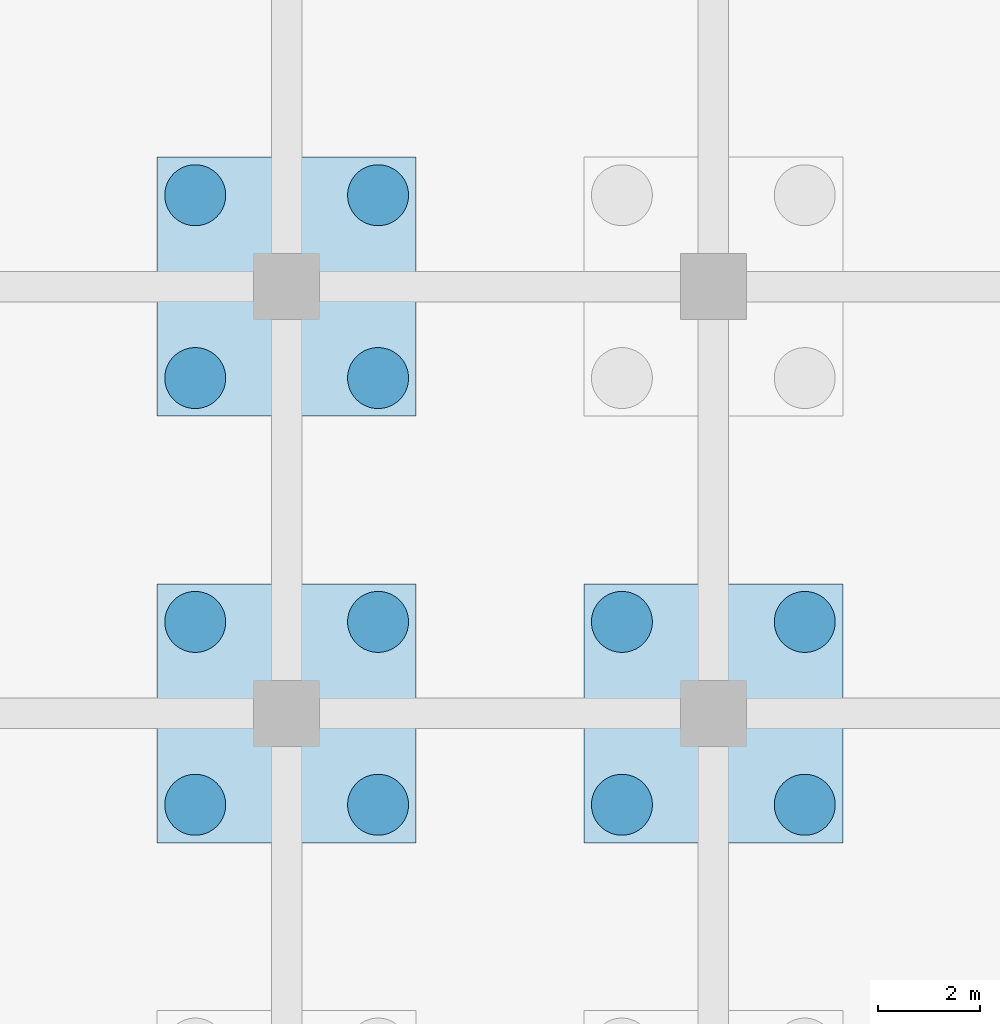
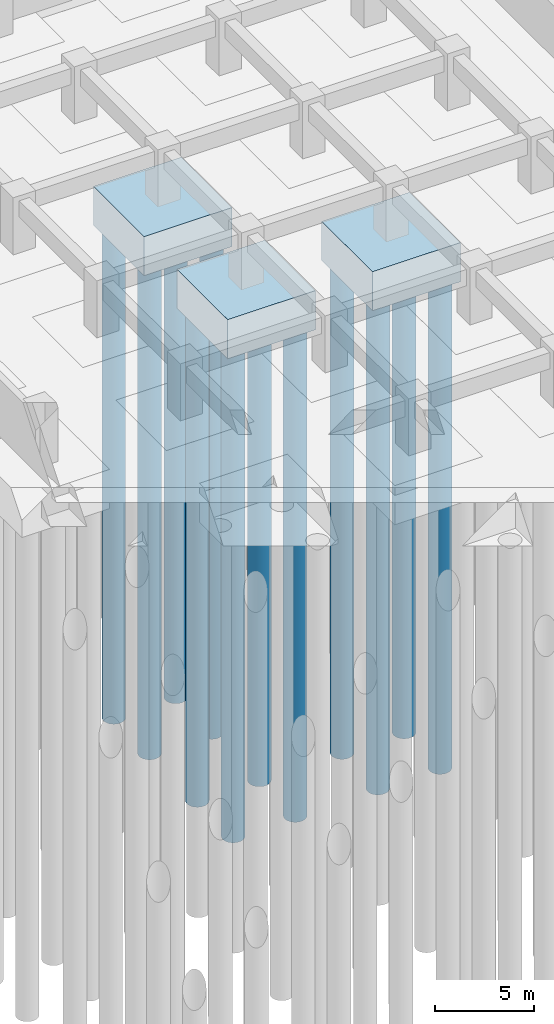
# One storey, part 33 of 73: 12 piles, 3 footings.
"""IFC4 building model written with IfcOpenShell, lengths in metres."""

import ifcopenshell
import ifcopenshell.guid

model = None  # the IFC model being written
_history = None  # IfcOwnerHistory: only IFC2X3 demands one
_inside = {}  # id of a spatial element -> (the spatial element, [elements in it])
_under = {}  # id of a project, library or spatial element -> (it, [spatial elements below it])
_declared = {}  # id of a project -> (the project, [libraries it declares])
_typed = {}  # id of a type object -> (the type object, [elements of that type])
_made_of = {}  # id of a material, layer set ... -> (it, [elements and type objects made of it])


def new_model(schema):
    """Start an empty IFC model of exactly this schema.

    Asked for "IFC4X3", IfcOpenShell would pick the latest addendum, in which some entities
    have other attributes; the version numbers below select the first issue.
    IFC2X3 requires an IfcOwnerHistory on every rooted entity: one is made here for all.
    """
    global model, _history
    if schema == "IFC4X3":
        model = ifcopenshell.file(schema_version=(4, 3, 0, 0))
    else:
        model = ifcopenshell.file(schema=schema)
    _inside.clear()
    _under.clear()
    _declared.clear()
    _typed.clear()
    _made_of.clear()
    _history = None
    if model.schema == "IFC2X3":
        org = make("IfcOrganization", Name="unknown")
        user = make(
            "IfcPersonAndOrganization",
            ThePerson=make("IfcPerson", FamilyName="unknown"),
            TheOrganization=org,
        )
        app = make(
            "IfcApplication",
            ApplicationDeveloper=org,
            Version="unknown",
            ApplicationFullName="unknown",
            ApplicationIdentifier="unknown",
        )
        _history = make(
            "IfcOwnerHistory",
            OwningUser=user,
            OwningApplication=app,
            ChangeAction="ADDED",
            CreationDate=0,
        )
    return model


def make(cls, **values):
    """One entity of the class cls with the attributes given. An attribute that is None is left unset."""
    return model.create_entity(
        cls, **{name: value for name, value in values.items() if value is not None}
    )


def rooted(cls, **values):
    """An entity with a GlobalId (a new one), such as an element, a storey or a relation."""
    return make(cls, GlobalId=ifcopenshell.guid.new(), OwnerHistory=_history, **values)


def si_unit(unit_type, name, prefix=None):
    """IfcSIUnit, for example si_unit("LENGTHUNIT", "METRE", prefix="MILLI")."""
    return make("IfcSIUnit", UnitType=unit_type, Prefix=prefix, Name=name)


def assignment(units):
    """IfcUnitAssignment: the units of a project."""
    return None if units is None else make("IfcUnitAssignment", Units=units)


def point(xyz):
    """IfcCartesianPoint."""
    return None if xyz is None else make("IfcCartesianPoint", Coordinates=xyz)


def direction(xyz):
    """IfcDirection."""
    return None if xyz is None else make("IfcDirection", DirectionRatios=xyz)


def frame(location, z_axis=None, x_axis=None):
    """IfcAxis2Placement3D, a coordinate frame: its origin and axes. An axis left out is left unset."""
    return make(
        "IfcAxis2Placement3D",
        Location=point(location),
        Axis=direction(z_axis),
        RefDirection=direction(x_axis),
    )


def frame_2d(location, x_axis=None):
    """IfcAxis2Placement2D, a coordinate frame in the plane: its origin and x axis."""
    return make(
        "IfcAxis2Placement2D", Location=point(location), RefDirection=direction(x_axis)
    )


def origin():
    """The frame at (0, 0, 0) with its axes left unset."""
    return frame((0.0, 0.0, 0.0))


def origin_2d():
    """The frame at (0, 0) in the plane with its x axis left unset."""
    return frame_2d((0.0, 0.0))


def place(relative_to, where):
    """IfcLocalPlacement: puts the frame where relative to a parent placement (None: the world)."""
    return make(
        "IfcLocalPlacement", PlacementRelTo=relative_to, RelativePlacement=where
    )


def context(
    kind, dimensions, precision=None, world=None, true_north=None, identifier=None
):
    """IfcGeometricRepresentationContext, for example the 3D "Model" context."""
    return make(
        "IfcGeometricRepresentationContext",
        ContextIdentifier=identifier,
        ContextType=kind,
        CoordinateSpaceDimension=dimensions,
        Precision=precision,
        WorldCoordinateSystem=world,
        TrueNorth=true_north,
    )


def subcontext(parent, identifier, kind, view, scale=None):
    """IfcGeometricRepresentationSubContext, for example "Body" below "Model"."""
    return make(
        "IfcGeometricRepresentationSubContext",
        ContextIdentifier=identifier,
        ContextType=kind,
        ParentContext=parent,
        TargetScale=scale,
        TargetView=view,
    )


def project(units=None, contexts=None):
    """IfcProject with its units and contexts."""
    return rooted(
        "IfcProject",
        Name="project",
        RepresentationContexts=contexts,
        UnitsInContext=assignment(units),
    )


def spatial(cls, under=None, at=None, **own):
    """A site, building, storey or space (cls), placed at a placement, below another one or the project."""
    s = rooted(cls, ObjectPlacement=at, **own)
    if under is not None:
        _under.setdefault(under.id(), (under, []))[1].append(s)
    return s


def polyline(points):
    """IfcPolyline through the points."""
    return make("IfcPolyline", Points=[point(p) for p in points])


def profile(cls, at=None, kind="AREA", **sizes):
    """A parametric profile (cls). Its sizes go by their IFC names, for example OverallWidth=200.0."""
    return make(cls, ProfileType=kind, Position=at, **sizes)


def circle(**sizes):
    """IfcCircleProfileDef."""
    return profile("IfcCircleProfileDef", **sizes)


def outline(outer, holes=None, kind="AREA"):
    """IfcArbitraryClosedProfileDef: a profile drawn as a closed curve; with holes, ...WithVoids."""
    if holes is None:
        return make("IfcArbitraryClosedProfileDef", ProfileType=kind, OuterCurve=outer)
    return make(
        "IfcArbitraryProfileDefWithVoids",
        ProfileType=kind,
        OuterCurve=outer,
        InnerCurves=holes,
    )


def extrude(swept, where, along, depth):
    """IfcExtrudedAreaSolid: the profile swept, set in the frame where, extruded along a direction by depth."""
    return make(
        "IfcExtrudedAreaSolid",
        SweptArea=swept,
        Position=where,
        ExtrudedDirection=direction(along),
        Depth=depth,
    )


def shape(context_of_items, identifier, shape_type, items):
    """IfcShapeRepresentation: the items that make up one representation, for example the "Body"."""
    return make(
        "IfcShapeRepresentation",
        ContextOfItems=context_of_items,
        RepresentationIdentifier=identifier,
        RepresentationType=shape_type,
        Items=items,
    )


def material(Name=None, Category=None):
    """IfcMaterial."""
    return make("IfcMaterial", Name=Name, Category=Category)


def material_profile(
    of_material, cross_section, Name=None, Category=None, Priority=None
):
    """IfcMaterialProfile: a cross section and its material."""
    return make(
        "IfcMaterialProfile",
        Name=Name,
        Material=of_material,
        Profile=cross_section,
        Priority=Priority,
        Category=Category,
    )


def profile_set(profiles, Name=None, composite=None):
    """IfcMaterialProfileSet."""
    return make(
        "IfcMaterialProfileSet",
        Name=Name,
        MaterialProfiles=profiles,
        CompositeProfile=composite,
    )


def made_of(thing, what):
    """Note that an element or type object is made of a material, layer set ...; save() writes the relation."""
    if what is not None:
        _made_of.setdefault(what.id(), (what, []))[1].append(thing)
    return thing


def type_object(cls, material=None, **own):
    """A type object (cls), such as IfcWallType, which elements share."""
    return made_of(rooted(cls, **own), material)


def element(
    cls,
    number,
    at=None,
    inside=None,
    cuts=None,
    type_object=None,
    material=None,
    context=None,
    identifier="Body",
    shape_type=None,
    held_by="IfcProductDefinitionShape",
    body=None,
    shapes=None,
    **own,
):
    """One element of the class cls, such as IfcWall. Its Tag is "e" and its number.

    at: its placement. inside: the storey or other place that contains it. cuts: it is an
    opening in that element (IfcRelVoidsElement). A single representation is given by context,
    identifier, shape_type and body (its items); several are given by shapes. held_by: the class
    of the entity that holds the representations. save() writes the other relations.
    """
    e = rooted(cls, Tag="e%d" % number, ObjectPlacement=at, **own)
    if body is not None:
        shapes = [shape(context, identifier, shape_type, body)]
    if shapes is not None:
        e.Representation = make(held_by, Representations=shapes)
    if inside is not None:
        _inside.setdefault(inside.id(), (inside, []))[1].append(e)
    if cuts is not None:
        rooted(
            "IfcRelVoidsElement", RelatingBuildingElement=cuts, RelatedOpeningElement=e
        )
    if type_object is not None:
        _typed.setdefault(type_object.id(), (type_object, []))[1].append(e)
    return made_of(e, material)


def aggregate(whole, parts):
    """IfcRelAggregates: a whole, such as a stair, and the parts it consists of."""
    return rooted("IfcRelAggregates", RelatingObject=whole, RelatedObjects=parts)


def save(model, path):
    """Write the relations noted so far, then the file.

    IfcRelAggregates (storeys below a building ...), IfcRelContainedInSpatialStructure (elements
    in a storey), IfcRelDefinesByType, IfcRelAssociatesMaterial and IfcRelDeclares: one each for
    every whole, place, type object, material and project.
    """
    for whole, parts in _under.values():
        aggregate(whole, parts)
    for where, things in _inside.values():
        rooted(
            "IfcRelContainedInSpatialStructure",
            RelatedElements=things,
            RelatingStructure=where,
        )
    for kind, things in _typed.values():
        rooted("IfcRelDefinesByType", RelatedObjects=things, RelatingType=kind)
    for what, things in _made_of.values():
        rooted("IfcRelAssociatesMaterial", RelatedObjects=things, RelatingMaterial=what)
    for by, libraries in _declared.values():
        rooted("IfcRelDeclares", RelatingContext=by, RelatedDefinitions=libraries)
    model.write(path)


model = new_model("IFC4")

# Units and contexts
model_context = context("Model", 3, precision=1e-05, world=origin(), true_north=direction((0.0, 1.0)))
body_context = subcontext(model_context, "Body", "Model", "MODEL_VIEW")
ifc_project = project(units=[si_unit("LENGTHUNIT", "METRE"), si_unit("AREAUNIT", "SQUARE_METRE"), si_unit("VOLUMEUNIT", "CUBIC_METRE"), si_unit("PLANEANGLEUNIT", "RADIAN"), si_unit("MASSUNIT", "GRAM", prefix="KILO")], contexts=[model_context])

# Site, building, storey
site_placement = place(None, origin())
site = spatial("IfcSite", under=ifc_project, at=site_placement, CompositionType="ELEMENT")
building_placement = place(site_placement, origin())
building = spatial("IfcBuilding", under=site, at=building_placement, Name="Impinga Residences", CompositionType="ELEMENT")
storey_placement = place(building_placement, frame((0.0, 0.0, -10.5)))
storey = spatial("IfcBuildingStorey", under=building, at=storey_placement, Name="B3", CompositionType="ELEMENT", Elevation=-10.5)

# Piles
ifc_material_1 = material(Name="Concrete C35/45", Category="concrete")
ifc_material_profile = material_profile(ifc_material_1, circle(Radius=0.60009765625, at=origin_2d()), Name="D1200")
ifc_profile_set = profile_set([ifc_material_profile], Name="Concrete C35/45")
pile_type = type_object("IfcPileType", Name="BP2 bored pile D1200", PredefinedType="BORED", material=ifc_profile_set)
pile_1_placement = place(storey_placement, frame((-35.39990234375, 23.39990234375, -2.39990234375), z_axis=(0.0, 0.0, -1.0), x_axis=(1.0, 0.0, 0.0)))
element("IfcPile", 1, at=pile_1_placement, inside=storey, type_object=pile_type, Name="Cap pile BP2 3/J-1", PredefinedType="BORED", context=body_context, shape_type="SweptSolid", body=[
    extrude(outline(polyline([(0.60009765625, 0.0), (0.59716796875, 0.058837890625), (0.58837890625, 0.116943359375), (0.57421875, 0.174072265625), (0.554443359375, 0.2294921875), (0.529052734375, 0.282958984375), (0.498779296875, 0.333251953125), (0.4638671875, 0.380615234375), (0.42431640625, 0.42431640625), (0.380615234375, 0.4638671875), (0.333251953125, 0.498779296875), (0.282958984375, 0.529052734375), (0.2294921875, 0.554443359375), (0.174072265625, 0.57421875), (0.116943359375, 0.58837890625), (0.058837890625, 0.59716796875), (0.0, 0.60009765625), (-0.058837890625, 0.59716796875), (-0.116943359375, 0.58837890625), (-0.174072265625, 0.57421875), (-0.2294921875, 0.554443359375), (-0.282958984375, 0.529052734375), (-0.333251953125, 0.498779296875), (-0.380615234375, 0.4638671875), (-0.42431640625, 0.42431640625), (-0.4638671875, 0.380615234375), (-0.498779296875, 0.333251953125), (-0.529052734375, 0.282958984375), (-0.554443359375, 0.2294921875), (-0.57421875, 0.174072265625), (-0.58837890625, 0.116943359375), (-0.59716796875, 0.058837890625), (-0.60009765625, 0.0), (-0.59716796875, -0.058837890625), (-0.58837890625, -0.116943359375), (-0.57421875, -0.174072265625), (-0.554443359375, -0.2294921875), (-0.529052734375, -0.282958984375), (-0.498779296875, -0.333251953125), (-0.4638671875, -0.380615234375), (-0.42431640625, -0.42431640625), (-0.380615234375, -0.4638671875), (-0.333251953125, -0.498779296875), (-0.282958984375, -0.529052734375), (-0.2294921875, -0.554443359375), (-0.174072265625, -0.57421875), (-0.116943359375, -0.58837890625), (-0.058837890625, -0.59716796875), (0.0, -0.60009765625), (0.058837890625, -0.59716796875), (0.116943359375, -0.58837890625), (0.174072265625, -0.57421875), (0.2294921875, -0.554443359375), (0.282958984375, -0.529052734375), (0.333251953125, -0.498779296875), (0.380615234375, -0.4638671875), (0.42431640625, -0.42431640625), (0.4638671875, -0.380615234375), (0.498779296875, -0.333251953125), (0.529052734375, -0.282958984375), (0.554443359375, -0.2294921875), (0.57421875, -0.174072265625), (0.58837890625, -0.116943359375), (0.59716796875, -0.058837890625), (0.60009765625, 0.0)])), origin(), (0.0, 0.0, 1.0), 30.0),
])
pile_2_placement = place(storey_placement, frame((-31.800048828125, 23.39990234375, -2.39990234375), z_axis=(0.0, 0.0, -1.0), x_axis=(1.0, 0.0, 0.0)))
element("IfcPile", 2, at=pile_2_placement, inside=storey, type_object=pile_type, Name="Cap pile BP2 3/J-2", PredefinedType="BORED", context=body_context, shape_type="SweptSolid", body=[
    extrude(outline(polyline([(0.60009765625, 0.0), (0.59716796875, 0.058837890625), (0.58837890625, 0.116943359375), (0.57421875, 0.174072265625), (0.554443359375, 0.2294921875), (0.529052734375, 0.282958984375), (0.498779296875, 0.333251953125), (0.4638671875, 0.380615234375), (0.42431640625, 0.42431640625), (0.380615234375, 0.4638671875), (0.333251953125, 0.498779296875), (0.282958984375, 0.529052734375), (0.2294921875, 0.554443359375), (0.174072265625, 0.57421875), (0.116943359375, 0.58837890625), (0.058837890625, 0.59716796875), (0.0, 0.60009765625), (-0.058837890625, 0.59716796875), (-0.116943359375, 0.58837890625), (-0.174072265625, 0.57421875), (-0.2294921875, 0.554443359375), (-0.282958984375, 0.529052734375), (-0.333251953125, 0.498779296875), (-0.380615234375, 0.4638671875), (-0.42431640625, 0.42431640625), (-0.4638671875, 0.380615234375), (-0.498779296875, 0.333251953125), (-0.529052734375, 0.282958984375), (-0.554443359375, 0.2294921875), (-0.57421875, 0.174072265625), (-0.58837890625, 0.116943359375), (-0.59716796875, 0.058837890625), (-0.60009765625, 0.0), (-0.59716796875, -0.058837890625), (-0.58837890625, -0.116943359375), (-0.57421875, -0.174072265625), (-0.554443359375, -0.2294921875), (-0.529052734375, -0.282958984375), (-0.498779296875, -0.333251953125), (-0.4638671875, -0.380615234375), (-0.42431640625, -0.42431640625), (-0.380615234375, -0.4638671875), (-0.333251953125, -0.498779296875), (-0.282958984375, -0.529052734375), (-0.2294921875, -0.554443359375), (-0.174072265625, -0.57421875), (-0.116943359375, -0.58837890625), (-0.058837890625, -0.59716796875), (0.0, -0.60009765625), (0.058837890625, -0.59716796875), (0.116943359375, -0.58837890625), (0.174072265625, -0.57421875), (0.2294921875, -0.554443359375), (0.282958984375, -0.529052734375), (0.333251953125, -0.498779296875), (0.380615234375, -0.4638671875), (0.42431640625, -0.42431640625), (0.4638671875, -0.380615234375), (0.498779296875, -0.333251953125), (0.529052734375, -0.282958984375), (0.554443359375, -0.2294921875), (0.57421875, -0.174072265625), (0.58837890625, -0.116943359375), (0.59716796875, -0.058837890625), (0.60009765625, 0.0)])), origin(), (0.0, 0.0, 1.0), 30.0),
])
pile_3_placement = place(storey_placement, frame((-31.800048828125, 27.0, -2.39990234375), z_axis=(0.0, 0.0, -1.0), x_axis=(1.0, 0.0, 0.0)))
element("IfcPile", 3, at=pile_3_placement, inside=storey, type_object=pile_type, Name="Cap pile BP2 3/J-3", PredefinedType="BORED", context=body_context, shape_type="SweptSolid", body=[
    extrude(outline(polyline([(0.60009765625, 0.0), (0.59716796875, 0.058837890625), (0.58837890625, 0.116943359375), (0.57421875, 0.174072265625), (0.554443359375, 0.2294921875), (0.529052734375, 0.282958984375), (0.498779296875, 0.333251953125), (0.4638671875, 0.380615234375), (0.42431640625, 0.42431640625), (0.380615234375, 0.4638671875), (0.333251953125, 0.498779296875), (0.282958984375, 0.529052734375), (0.2294921875, 0.554443359375), (0.174072265625, 0.57421875), (0.116943359375, 0.58837890625), (0.058837890625, 0.59716796875), (0.0, 0.60009765625), (-0.058837890625, 0.59716796875), (-0.116943359375, 0.58837890625), (-0.174072265625, 0.57421875), (-0.2294921875, 0.554443359375), (-0.282958984375, 0.529052734375), (-0.333251953125, 0.498779296875), (-0.380615234375, 0.4638671875), (-0.42431640625, 0.42431640625), (-0.4638671875, 0.380615234375), (-0.498779296875, 0.333251953125), (-0.529052734375, 0.282958984375), (-0.554443359375, 0.2294921875), (-0.57421875, 0.174072265625), (-0.58837890625, 0.116943359375), (-0.59716796875, 0.058837890625), (-0.60009765625, 0.0), (-0.59716796875, -0.058837890625), (-0.58837890625, -0.116943359375), (-0.57421875, -0.174072265625), (-0.554443359375, -0.2294921875), (-0.529052734375, -0.282958984375), (-0.498779296875, -0.333251953125), (-0.4638671875, -0.380615234375), (-0.42431640625, -0.42431640625), (-0.380615234375, -0.4638671875), (-0.333251953125, -0.498779296875), (-0.282958984375, -0.529052734375), (-0.2294921875, -0.554443359375), (-0.174072265625, -0.57421875), (-0.116943359375, -0.58837890625), (-0.058837890625, -0.59716796875), (0.0, -0.60009765625), (0.058837890625, -0.59716796875), (0.116943359375, -0.58837890625), (0.174072265625, -0.57421875), (0.2294921875, -0.554443359375), (0.282958984375, -0.529052734375), (0.333251953125, -0.498779296875), (0.380615234375, -0.4638671875), (0.42431640625, -0.42431640625), (0.4638671875, -0.380615234375), (0.498779296875, -0.333251953125), (0.529052734375, -0.282958984375), (0.554443359375, -0.2294921875), (0.57421875, -0.174072265625), (0.58837890625, -0.116943359375), (0.59716796875, -0.058837890625), (0.60009765625, 0.0)])), origin(), (0.0, 0.0, 1.0), 30.0),
])
pile_4_placement = place(storey_placement, frame((-35.39990234375, 27.0, -2.39990234375), z_axis=(0.0, 0.0, -1.0), x_axis=(1.0, 0.0, 0.0)))
element("IfcPile", 4, at=pile_4_placement, inside=storey, type_object=pile_type, Name="Cap pile BP2 3/J-4", PredefinedType="BORED", context=body_context, shape_type="SweptSolid", body=[
    extrude(outline(polyline([(0.60009765625, 0.0), (0.59716796875, 0.058837890625), (0.58837890625, 0.116943359375), (0.57421875, 0.174072265625), (0.554443359375, 0.2294921875), (0.529052734375, 0.282958984375), (0.498779296875, 0.333251953125), (0.4638671875, 0.380615234375), (0.42431640625, 0.42431640625), (0.380615234375, 0.4638671875), (0.333251953125, 0.498779296875), (0.282958984375, 0.529052734375), (0.2294921875, 0.554443359375), (0.174072265625, 0.57421875), (0.116943359375, 0.58837890625), (0.058837890625, 0.59716796875), (0.0, 0.60009765625), (-0.058837890625, 0.59716796875), (-0.116943359375, 0.58837890625), (-0.174072265625, 0.57421875), (-0.2294921875, 0.554443359375), (-0.282958984375, 0.529052734375), (-0.333251953125, 0.498779296875), (-0.380615234375, 0.4638671875), (-0.42431640625, 0.42431640625), (-0.4638671875, 0.380615234375), (-0.498779296875, 0.333251953125), (-0.529052734375, 0.282958984375), (-0.554443359375, 0.2294921875), (-0.57421875, 0.174072265625), (-0.58837890625, 0.116943359375), (-0.59716796875, 0.058837890625), (-0.60009765625, 0.0), (-0.59716796875, -0.058837890625), (-0.58837890625, -0.116943359375), (-0.57421875, -0.174072265625), (-0.554443359375, -0.2294921875), (-0.529052734375, -0.282958984375), (-0.498779296875, -0.333251953125), (-0.4638671875, -0.380615234375), (-0.42431640625, -0.42431640625), (-0.380615234375, -0.4638671875), (-0.333251953125, -0.498779296875), (-0.282958984375, -0.529052734375), (-0.2294921875, -0.554443359375), (-0.174072265625, -0.57421875), (-0.116943359375, -0.58837890625), (-0.058837890625, -0.59716796875), (0.0, -0.60009765625), (0.058837890625, -0.59716796875), (0.116943359375, -0.58837890625), (0.174072265625, -0.57421875), (0.2294921875, -0.554443359375), (0.282958984375, -0.529052734375), (0.333251953125, -0.498779296875), (0.380615234375, -0.4638671875), (0.42431640625, -0.42431640625), (0.4638671875, -0.380615234375), (0.498779296875, -0.333251953125), (0.529052734375, -0.282958984375), (0.554443359375, -0.2294921875), (0.57421875, -0.174072265625), (0.58837890625, -0.116943359375), (0.59716796875, -0.058837890625), (0.60009765625, 0.0)])), origin(), (0.0, 0.0, 1.0), 30.0),
])
pile_5_placement = place(storey_placement, frame((-35.39990234375, 31.800048828125, -2.39990234375), z_axis=(0.0, 0.0, -1.0), x_axis=(1.0, 0.0, 0.0)))
element("IfcPile", 5, at=pile_5_placement, inside=storey, type_object=pile_type, Name="Cap pile BP2 3/K-1", PredefinedType="BORED", context=body_context, shape_type="SweptSolid", body=[
    extrude(outline(polyline([(0.60009765625, 0.0), (0.59716796875, 0.058837890625), (0.58837890625, 0.116943359375), (0.57421875, 0.174072265625), (0.554443359375, 0.2294921875), (0.529052734375, 0.282958984375), (0.498779296875, 0.333251953125), (0.4638671875, 0.380615234375), (0.42431640625, 0.42431640625), (0.380615234375, 0.4638671875), (0.333251953125, 0.498779296875), (0.282958984375, 0.529052734375), (0.2294921875, 0.554443359375), (0.174072265625, 0.57421875), (0.116943359375, 0.58837890625), (0.058837890625, 0.59716796875), (0.0, 0.60009765625), (-0.058837890625, 0.59716796875), (-0.116943359375, 0.58837890625), (-0.174072265625, 0.57421875), (-0.2294921875, 0.554443359375), (-0.282958984375, 0.529052734375), (-0.333251953125, 0.498779296875), (-0.380615234375, 0.4638671875), (-0.42431640625, 0.42431640625), (-0.4638671875, 0.380615234375), (-0.498779296875, 0.333251953125), (-0.529052734375, 0.282958984375), (-0.554443359375, 0.2294921875), (-0.57421875, 0.174072265625), (-0.58837890625, 0.116943359375), (-0.59716796875, 0.058837890625), (-0.60009765625, 0.0), (-0.59716796875, -0.058837890625), (-0.58837890625, -0.116943359375), (-0.57421875, -0.174072265625), (-0.554443359375, -0.2294921875), (-0.529052734375, -0.282958984375), (-0.498779296875, -0.333251953125), (-0.4638671875, -0.380615234375), (-0.42431640625, -0.42431640625), (-0.380615234375, -0.4638671875), (-0.333251953125, -0.498779296875), (-0.282958984375, -0.529052734375), (-0.2294921875, -0.554443359375), (-0.174072265625, -0.57421875), (-0.116943359375, -0.58837890625), (-0.058837890625, -0.59716796875), (0.0, -0.60009765625), (0.058837890625, -0.59716796875), (0.116943359375, -0.58837890625), (0.174072265625, -0.57421875), (0.2294921875, -0.554443359375), (0.282958984375, -0.529052734375), (0.333251953125, -0.498779296875), (0.380615234375, -0.4638671875), (0.42431640625, -0.42431640625), (0.4638671875, -0.380615234375), (0.498779296875, -0.333251953125), (0.529052734375, -0.282958984375), (0.554443359375, -0.2294921875), (0.57421875, -0.174072265625), (0.58837890625, -0.116943359375), (0.59716796875, -0.058837890625), (0.60009765625, 0.0)])), origin(), (0.0, 0.0, 1.0), 30.0),
])
pile_6_placement = place(storey_placement, frame((-31.800048828125, 31.800048828125, -2.39990234375), z_axis=(0.0, 0.0, -1.0), x_axis=(1.0, 0.0, 0.0)))
element("IfcPile", 6, at=pile_6_placement, inside=storey, type_object=pile_type, Name="Cap pile BP2 3/K-2", PredefinedType="BORED", context=body_context, shape_type="SweptSolid", body=[
    extrude(outline(polyline([(0.60009765625, 0.0), (0.59716796875, 0.058837890625), (0.58837890625, 0.116943359375), (0.57421875, 0.174072265625), (0.554443359375, 0.2294921875), (0.529052734375, 0.282958984375), (0.498779296875, 0.333251953125), (0.4638671875, 0.380615234375), (0.42431640625, 0.42431640625), (0.380615234375, 0.4638671875), (0.333251953125, 0.498779296875), (0.282958984375, 0.529052734375), (0.2294921875, 0.554443359375), (0.174072265625, 0.57421875), (0.116943359375, 0.58837890625), (0.058837890625, 0.59716796875), (0.0, 0.60009765625), (-0.058837890625, 0.59716796875), (-0.116943359375, 0.58837890625), (-0.174072265625, 0.57421875), (-0.2294921875, 0.554443359375), (-0.282958984375, 0.529052734375), (-0.333251953125, 0.498779296875), (-0.380615234375, 0.4638671875), (-0.42431640625, 0.42431640625), (-0.4638671875, 0.380615234375), (-0.498779296875, 0.333251953125), (-0.529052734375, 0.282958984375), (-0.554443359375, 0.2294921875), (-0.57421875, 0.174072265625), (-0.58837890625, 0.116943359375), (-0.59716796875, 0.058837890625), (-0.60009765625, 0.0), (-0.59716796875, -0.058837890625), (-0.58837890625, -0.116943359375), (-0.57421875, -0.174072265625), (-0.554443359375, -0.2294921875), (-0.529052734375, -0.282958984375), (-0.498779296875, -0.333251953125), (-0.4638671875, -0.380615234375), (-0.42431640625, -0.42431640625), (-0.380615234375, -0.4638671875), (-0.333251953125, -0.498779296875), (-0.282958984375, -0.529052734375), (-0.2294921875, -0.554443359375), (-0.174072265625, -0.57421875), (-0.116943359375, -0.58837890625), (-0.058837890625, -0.59716796875), (0.0, -0.60009765625), (0.058837890625, -0.59716796875), (0.116943359375, -0.58837890625), (0.174072265625, -0.57421875), (0.2294921875, -0.554443359375), (0.282958984375, -0.529052734375), (0.333251953125, -0.498779296875), (0.380615234375, -0.4638671875), (0.42431640625, -0.42431640625), (0.4638671875, -0.380615234375), (0.498779296875, -0.333251953125), (0.529052734375, -0.282958984375), (0.554443359375, -0.2294921875), (0.57421875, -0.174072265625), (0.58837890625, -0.116943359375), (0.59716796875, -0.058837890625), (0.60009765625, 0.0)])), origin(), (0.0, 0.0, 1.0), 30.0),
])
pile_7_placement = place(storey_placement, frame((-31.800048828125, 35.39990234375, -2.39990234375), z_axis=(0.0, 0.0, -1.0), x_axis=(1.0, 0.0, 0.0)))
element("IfcPile", 7, at=pile_7_placement, inside=storey, type_object=pile_type, Name="Cap pile BP2 3/K-3", PredefinedType="BORED", context=body_context, shape_type="SweptSolid", body=[
    extrude(outline(polyline([(0.60009765625, 0.0), (0.59716796875, 0.058837890625), (0.58837890625, 0.116943359375), (0.57421875, 0.174072265625), (0.554443359375, 0.2294921875), (0.529052734375, 0.282958984375), (0.498779296875, 0.333251953125), (0.4638671875, 0.380615234375), (0.42431640625, 0.42431640625), (0.380615234375, 0.4638671875), (0.333251953125, 0.498779296875), (0.282958984375, 0.529052734375), (0.2294921875, 0.554443359375), (0.174072265625, 0.57421875), (0.116943359375, 0.58837890625), (0.058837890625, 0.59716796875), (0.0, 0.60009765625), (-0.058837890625, 0.59716796875), (-0.116943359375, 0.58837890625), (-0.174072265625, 0.57421875), (-0.2294921875, 0.554443359375), (-0.282958984375, 0.529052734375), (-0.333251953125, 0.498779296875), (-0.380615234375, 0.4638671875), (-0.42431640625, 0.42431640625), (-0.4638671875, 0.380615234375), (-0.498779296875, 0.333251953125), (-0.529052734375, 0.282958984375), (-0.554443359375, 0.2294921875), (-0.57421875, 0.174072265625), (-0.58837890625, 0.116943359375), (-0.59716796875, 0.058837890625), (-0.60009765625, 0.0), (-0.59716796875, -0.058837890625), (-0.58837890625, -0.116943359375), (-0.57421875, -0.174072265625), (-0.554443359375, -0.2294921875), (-0.529052734375, -0.282958984375), (-0.498779296875, -0.333251953125), (-0.4638671875, -0.380615234375), (-0.42431640625, -0.42431640625), (-0.380615234375, -0.4638671875), (-0.333251953125, -0.498779296875), (-0.282958984375, -0.529052734375), (-0.2294921875, -0.554443359375), (-0.174072265625, -0.57421875), (-0.116943359375, -0.58837890625), (-0.058837890625, -0.59716796875), (0.0, -0.60009765625), (0.058837890625, -0.59716796875), (0.116943359375, -0.58837890625), (0.174072265625, -0.57421875), (0.2294921875, -0.554443359375), (0.282958984375, -0.529052734375), (0.333251953125, -0.498779296875), (0.380615234375, -0.4638671875), (0.42431640625, -0.42431640625), (0.4638671875, -0.380615234375), (0.498779296875, -0.333251953125), (0.529052734375, -0.282958984375), (0.554443359375, -0.2294921875), (0.57421875, -0.174072265625), (0.58837890625, -0.116943359375), (0.59716796875, -0.058837890625), (0.60009765625, 0.0)])), origin(), (0.0, 0.0, 1.0), 30.0),
])
pile_8_placement = place(storey_placement, frame((-35.39990234375, 35.39990234375, -2.39990234375), z_axis=(0.0, 0.0, -1.0), x_axis=(1.0, 0.0, 0.0)))
element("IfcPile", 8, at=pile_8_placement, inside=storey, type_object=pile_type, Name="Cap pile BP2 3/K-4", PredefinedType="BORED", context=body_context, shape_type="SweptSolid", body=[
    extrude(outline(polyline([(0.60009765625, 0.0), (0.59716796875, 0.058837890625), (0.58837890625, 0.116943359375), (0.57421875, 0.174072265625), (0.554443359375, 0.2294921875), (0.529052734375, 0.282958984375), (0.498779296875, 0.333251953125), (0.4638671875, 0.380615234375), (0.42431640625, 0.42431640625), (0.380615234375, 0.4638671875), (0.333251953125, 0.498779296875), (0.282958984375, 0.529052734375), (0.2294921875, 0.554443359375), (0.174072265625, 0.57421875), (0.116943359375, 0.58837890625), (0.058837890625, 0.59716796875), (0.0, 0.60009765625), (-0.058837890625, 0.59716796875), (-0.116943359375, 0.58837890625), (-0.174072265625, 0.57421875), (-0.2294921875, 0.554443359375), (-0.282958984375, 0.529052734375), (-0.333251953125, 0.498779296875), (-0.380615234375, 0.4638671875), (-0.42431640625, 0.42431640625), (-0.4638671875, 0.380615234375), (-0.498779296875, 0.333251953125), (-0.529052734375, 0.282958984375), (-0.554443359375, 0.2294921875), (-0.57421875, 0.174072265625), (-0.58837890625, 0.116943359375), (-0.59716796875, 0.058837890625), (-0.60009765625, 0.0), (-0.59716796875, -0.058837890625), (-0.58837890625, -0.116943359375), (-0.57421875, -0.174072265625), (-0.554443359375, -0.2294921875), (-0.529052734375, -0.282958984375), (-0.498779296875, -0.333251953125), (-0.4638671875, -0.380615234375), (-0.42431640625, -0.42431640625), (-0.380615234375, -0.4638671875), (-0.333251953125, -0.498779296875), (-0.282958984375, -0.529052734375), (-0.2294921875, -0.554443359375), (-0.174072265625, -0.57421875), (-0.116943359375, -0.58837890625), (-0.058837890625, -0.59716796875), (0.0, -0.60009765625), (0.058837890625, -0.59716796875), (0.116943359375, -0.58837890625), (0.174072265625, -0.57421875), (0.2294921875, -0.554443359375), (0.282958984375, -0.529052734375), (0.333251953125, -0.498779296875), (0.380615234375, -0.4638671875), (0.42431640625, -0.42431640625), (0.4638671875, -0.380615234375), (0.498779296875, -0.333251953125), (0.529052734375, -0.282958984375), (0.554443359375, -0.2294921875), (0.57421875, -0.174072265625), (0.58837890625, -0.116943359375), (0.59716796875, -0.058837890625), (0.60009765625, 0.0)])), origin(), (0.0, 0.0, 1.0), 30.0),
])
pile_9_placement = place(storey_placement, frame((-27.0, 23.39990234375, -2.39990234375), z_axis=(0.0, 0.0, -1.0), x_axis=(1.0, 0.0, 0.0)))
element("IfcPile", 9, at=pile_9_placement, inside=storey, type_object=pile_type, Name="Cap pile BP2 4/J-1", PredefinedType="BORED", context=body_context, shape_type="SweptSolid", body=[
    extrude(outline(polyline([(0.60009765625, 0.0), (0.59716796875, 0.058837890625), (0.58837890625, 0.116943359375), (0.57421875, 0.174072265625), (0.554443359375, 0.2294921875), (0.529052734375, 0.282958984375), (0.498779296875, 0.333251953125), (0.4638671875, 0.380615234375), (0.42431640625, 0.42431640625), (0.380615234375, 0.4638671875), (0.333251953125, 0.498779296875), (0.282958984375, 0.529052734375), (0.2294921875, 0.554443359375), (0.174072265625, 0.57421875), (0.116943359375, 0.58837890625), (0.058837890625, 0.59716796875), (0.0, 0.60009765625), (-0.058837890625, 0.59716796875), (-0.116943359375, 0.58837890625), (-0.174072265625, 0.57421875), (-0.2294921875, 0.554443359375), (-0.282958984375, 0.529052734375), (-0.333251953125, 0.498779296875), (-0.380615234375, 0.4638671875), (-0.42431640625, 0.42431640625), (-0.4638671875, 0.380615234375), (-0.498779296875, 0.333251953125), (-0.529052734375, 0.282958984375), (-0.554443359375, 0.2294921875), (-0.57421875, 0.174072265625), (-0.58837890625, 0.116943359375), (-0.59716796875, 0.058837890625), (-0.60009765625, 0.0), (-0.59716796875, -0.058837890625), (-0.58837890625, -0.116943359375), (-0.57421875, -0.174072265625), (-0.554443359375, -0.2294921875), (-0.529052734375, -0.282958984375), (-0.498779296875, -0.333251953125), (-0.4638671875, -0.380615234375), (-0.42431640625, -0.42431640625), (-0.380615234375, -0.4638671875), (-0.333251953125, -0.498779296875), (-0.282958984375, -0.529052734375), (-0.2294921875, -0.554443359375), (-0.174072265625, -0.57421875), (-0.116943359375, -0.58837890625), (-0.058837890625, -0.59716796875), (0.0, -0.60009765625), (0.058837890625, -0.59716796875), (0.116943359375, -0.58837890625), (0.174072265625, -0.57421875), (0.2294921875, -0.554443359375), (0.282958984375, -0.529052734375), (0.333251953125, -0.498779296875), (0.380615234375, -0.4638671875), (0.42431640625, -0.42431640625), (0.4638671875, -0.380615234375), (0.498779296875, -0.333251953125), (0.529052734375, -0.282958984375), (0.554443359375, -0.2294921875), (0.57421875, -0.174072265625), (0.58837890625, -0.116943359375), (0.59716796875, -0.058837890625), (0.60009765625, 0.0)])), origin(), (0.0, 0.0, 1.0), 30.0),
])
pile_10_placement = place(storey_placement, frame((-23.39990234375, 23.39990234375, -2.39990234375), z_axis=(0.0, 0.0, -1.0), x_axis=(1.0, 0.0, 0.0)))
element("IfcPile", 10, at=pile_10_placement, inside=storey, type_object=pile_type, Name="Cap pile BP2 4/J-2", PredefinedType="BORED", context=body_context, shape_type="SweptSolid", body=[
    extrude(outline(polyline([(0.60009765625, 0.0), (0.59716796875, 0.058837890625), (0.58837890625, 0.116943359375), (0.57421875, 0.174072265625), (0.554443359375, 0.2294921875), (0.529052734375, 0.282958984375), (0.498779296875, 0.333251953125), (0.4638671875, 0.380615234375), (0.42431640625, 0.42431640625), (0.380615234375, 0.4638671875), (0.333251953125, 0.498779296875), (0.282958984375, 0.529052734375), (0.2294921875, 0.554443359375), (0.174072265625, 0.57421875), (0.116943359375, 0.58837890625), (0.058837890625, 0.59716796875), (0.0, 0.60009765625), (-0.058837890625, 0.59716796875), (-0.116943359375, 0.58837890625), (-0.174072265625, 0.57421875), (-0.2294921875, 0.554443359375), (-0.282958984375, 0.529052734375), (-0.333251953125, 0.498779296875), (-0.380615234375, 0.4638671875), (-0.42431640625, 0.42431640625), (-0.4638671875, 0.380615234375), (-0.498779296875, 0.333251953125), (-0.529052734375, 0.282958984375), (-0.554443359375, 0.2294921875), (-0.57421875, 0.174072265625), (-0.58837890625, 0.116943359375), (-0.59716796875, 0.058837890625), (-0.60009765625, 0.0), (-0.59716796875, -0.058837890625), (-0.58837890625, -0.116943359375), (-0.57421875, -0.174072265625), (-0.554443359375, -0.2294921875), (-0.529052734375, -0.282958984375), (-0.498779296875, -0.333251953125), (-0.4638671875, -0.380615234375), (-0.42431640625, -0.42431640625), (-0.380615234375, -0.4638671875), (-0.333251953125, -0.498779296875), (-0.282958984375, -0.529052734375), (-0.2294921875, -0.554443359375), (-0.174072265625, -0.57421875), (-0.116943359375, -0.58837890625), (-0.058837890625, -0.59716796875), (0.0, -0.60009765625), (0.058837890625, -0.59716796875), (0.116943359375, -0.58837890625), (0.174072265625, -0.57421875), (0.2294921875, -0.554443359375), (0.282958984375, -0.529052734375), (0.333251953125, -0.498779296875), (0.380615234375, -0.4638671875), (0.42431640625, -0.42431640625), (0.4638671875, -0.380615234375), (0.498779296875, -0.333251953125), (0.529052734375, -0.282958984375), (0.554443359375, -0.2294921875), (0.57421875, -0.174072265625), (0.58837890625, -0.116943359375), (0.59716796875, -0.058837890625), (0.60009765625, 0.0)])), origin(), (0.0, 0.0, 1.0), 30.0),
])
pile_11_placement = place(storey_placement, frame((-23.39990234375, 27.0, -2.39990234375), z_axis=(0.0, 0.0, -1.0), x_axis=(1.0, 0.0, 0.0)))
element("IfcPile", 11, at=pile_11_placement, inside=storey, type_object=pile_type, Name="Cap pile BP2 4/J-3", PredefinedType="BORED", context=body_context, shape_type="SweptSolid", body=[
    extrude(outline(polyline([(0.60009765625, 0.0), (0.59716796875, 0.058837890625), (0.58837890625, 0.116943359375), (0.57421875, 0.174072265625), (0.554443359375, 0.2294921875), (0.529052734375, 0.282958984375), (0.498779296875, 0.333251953125), (0.4638671875, 0.380615234375), (0.42431640625, 0.42431640625), (0.380615234375, 0.4638671875), (0.333251953125, 0.498779296875), (0.282958984375, 0.529052734375), (0.2294921875, 0.554443359375), (0.174072265625, 0.57421875), (0.116943359375, 0.58837890625), (0.058837890625, 0.59716796875), (0.0, 0.60009765625), (-0.058837890625, 0.59716796875), (-0.116943359375, 0.58837890625), (-0.174072265625, 0.57421875), (-0.2294921875, 0.554443359375), (-0.282958984375, 0.529052734375), (-0.333251953125, 0.498779296875), (-0.380615234375, 0.4638671875), (-0.42431640625, 0.42431640625), (-0.4638671875, 0.380615234375), (-0.498779296875, 0.333251953125), (-0.529052734375, 0.282958984375), (-0.554443359375, 0.2294921875), (-0.57421875, 0.174072265625), (-0.58837890625, 0.116943359375), (-0.59716796875, 0.058837890625), (-0.60009765625, 0.0), (-0.59716796875, -0.058837890625), (-0.58837890625, -0.116943359375), (-0.57421875, -0.174072265625), (-0.554443359375, -0.2294921875), (-0.529052734375, -0.282958984375), (-0.498779296875, -0.333251953125), (-0.4638671875, -0.380615234375), (-0.42431640625, -0.42431640625), (-0.380615234375, -0.4638671875), (-0.333251953125, -0.498779296875), (-0.282958984375, -0.529052734375), (-0.2294921875, -0.554443359375), (-0.174072265625, -0.57421875), (-0.116943359375, -0.58837890625), (-0.058837890625, -0.59716796875), (0.0, -0.60009765625), (0.058837890625, -0.59716796875), (0.116943359375, -0.58837890625), (0.174072265625, -0.57421875), (0.2294921875, -0.554443359375), (0.282958984375, -0.529052734375), (0.333251953125, -0.498779296875), (0.380615234375, -0.4638671875), (0.42431640625, -0.42431640625), (0.4638671875, -0.380615234375), (0.498779296875, -0.333251953125), (0.529052734375, -0.282958984375), (0.554443359375, -0.2294921875), (0.57421875, -0.174072265625), (0.58837890625, -0.116943359375), (0.59716796875, -0.058837890625), (0.60009765625, 0.0)])), origin(), (0.0, 0.0, 1.0), 30.0),
])
pile_12_placement = place(storey_placement, frame((-27.0, 27.0, -2.39990234375), z_axis=(0.0, 0.0, -1.0), x_axis=(1.0, 0.0, 0.0)))
element("IfcPile", 12, at=pile_12_placement, inside=storey, type_object=pile_type, Name="Cap pile BP2 4/J-4", PredefinedType="BORED", context=body_context, shape_type="SweptSolid", body=[
    extrude(outline(polyline([(0.60009765625, 0.0), (0.59716796875, 0.058837890625), (0.58837890625, 0.116943359375), (0.57421875, 0.174072265625), (0.554443359375, 0.2294921875), (0.529052734375, 0.282958984375), (0.498779296875, 0.333251953125), (0.4638671875, 0.380615234375), (0.42431640625, 0.42431640625), (0.380615234375, 0.4638671875), (0.333251953125, 0.498779296875), (0.282958984375, 0.529052734375), (0.2294921875, 0.554443359375), (0.174072265625, 0.57421875), (0.116943359375, 0.58837890625), (0.058837890625, 0.59716796875), (0.0, 0.60009765625), (-0.058837890625, 0.59716796875), (-0.116943359375, 0.58837890625), (-0.174072265625, 0.57421875), (-0.2294921875, 0.554443359375), (-0.282958984375, 0.529052734375), (-0.333251953125, 0.498779296875), (-0.380615234375, 0.4638671875), (-0.42431640625, 0.42431640625), (-0.4638671875, 0.380615234375), (-0.498779296875, 0.333251953125), (-0.529052734375, 0.282958984375), (-0.554443359375, 0.2294921875), (-0.57421875, 0.174072265625), (-0.58837890625, 0.116943359375), (-0.59716796875, 0.058837890625), (-0.60009765625, 0.0), (-0.59716796875, -0.058837890625), (-0.58837890625, -0.116943359375), (-0.57421875, -0.174072265625), (-0.554443359375, -0.2294921875), (-0.529052734375, -0.282958984375), (-0.498779296875, -0.333251953125), (-0.4638671875, -0.380615234375), (-0.42431640625, -0.42431640625), (-0.380615234375, -0.4638671875), (-0.333251953125, -0.498779296875), (-0.282958984375, -0.529052734375), (-0.2294921875, -0.554443359375), (-0.174072265625, -0.57421875), (-0.116943359375, -0.58837890625), (-0.058837890625, -0.59716796875), (0.0, -0.60009765625), (0.058837890625, -0.59716796875), (0.116943359375, -0.58837890625), (0.174072265625, -0.57421875), (0.2294921875, -0.554443359375), (0.282958984375, -0.529052734375), (0.333251953125, -0.498779296875), (0.380615234375, -0.4638671875), (0.42431640625, -0.42431640625), (0.4638671875, -0.380615234375), (0.498779296875, -0.333251953125), (0.529052734375, -0.282958984375), (0.554443359375, -0.2294921875), (0.57421875, -0.174072265625), (0.58837890625, -0.116943359375), (0.59716796875, -0.058837890625), (0.60009765625, 0.0)])), origin(), (0.0, 0.0, 1.0), 30.0),
])

# Footings
ifc_material_2 = material(Name="Concrete C45/55", Category="concrete")
footing_type = type_object("IfcFootingType", Name="PC4 four-pile cap 5100 square 2400 deep", PredefinedType="PILE_CAP", material=ifc_material_2)
footing_1_placement = place(storey_placement, frame((0.0, 0.0, -2.39990234375)))
element("IfcFooting", 13, at=footing_1_placement, inside=storey, type_object=footing_type, Name="Pile cap PC4 3/J", PredefinedType="PILE_CAP", context=body_context, shape_type="SweptSolid", body=[
    extrude(outline(polyline([(-31.050048828125, 22.64990234375), (-31.050048828125, 27.75), (-36.14990234375, 27.75), (-36.14990234375, 22.64990234375), (-31.050048828125, 22.64990234375)])), origin(), (0.0, 0.0, 1.0), 2.39990234375),
])
footing_2_placement = place(storey_placement, frame((0.0, 0.0, -2.39990234375)))
element("IfcFooting", 14, at=footing_2_placement, inside=storey, type_object=footing_type, Name="Pile cap PC4 3/K", PredefinedType="PILE_CAP", context=body_context, shape_type="SweptSolid", body=[
    extrude(outline(polyline([(-31.050048828125, 31.050048828125), (-31.050048828125, 36.14990234375), (-36.14990234375, 36.14990234375), (-36.14990234375, 31.050048828125), (-31.050048828125, 31.050048828125)])), origin(), (0.0, 0.0, 1.0), 2.39990234375),
])
footing_3_placement = place(storey_placement, frame((0.0, 0.0, -2.39990234375)))
element("IfcFooting", 15, at=footing_3_placement, inside=storey, type_object=footing_type, Name="Pile cap PC4 4/J", PredefinedType="PILE_CAP", context=body_context, shape_type="SweptSolid", body=[
    extrude(outline(polyline([(-22.64990234375, 22.64990234375), (-22.64990234375, 27.75), (-27.75, 27.75), (-27.75, 22.64990234375), (-22.64990234375, 22.64990234375)])), origin(), (0.0, 0.0, 1.0), 2.39990234375),
])

save(model, "model.ifc")
